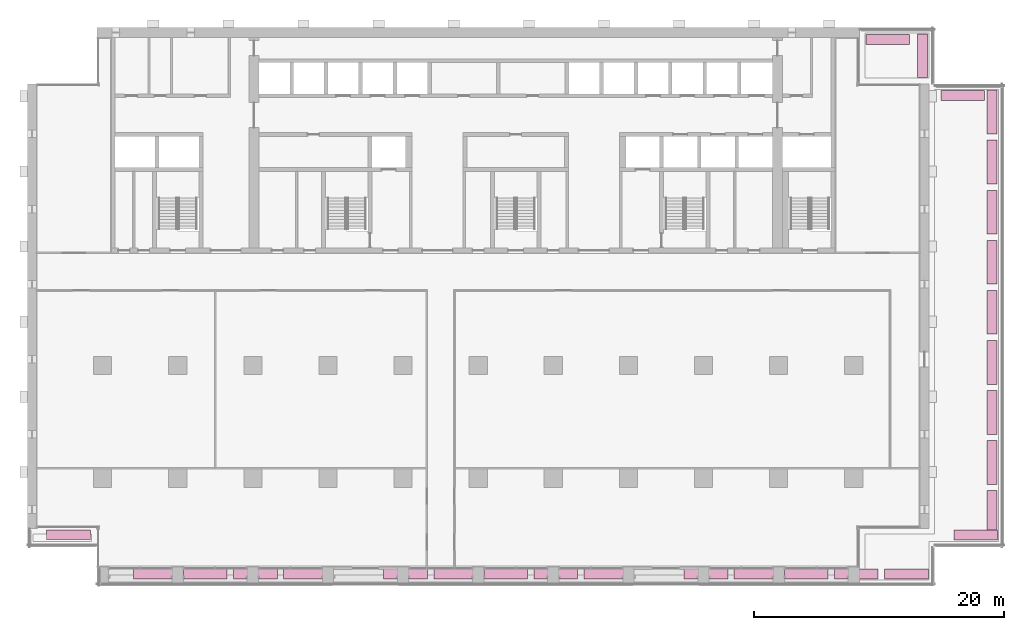
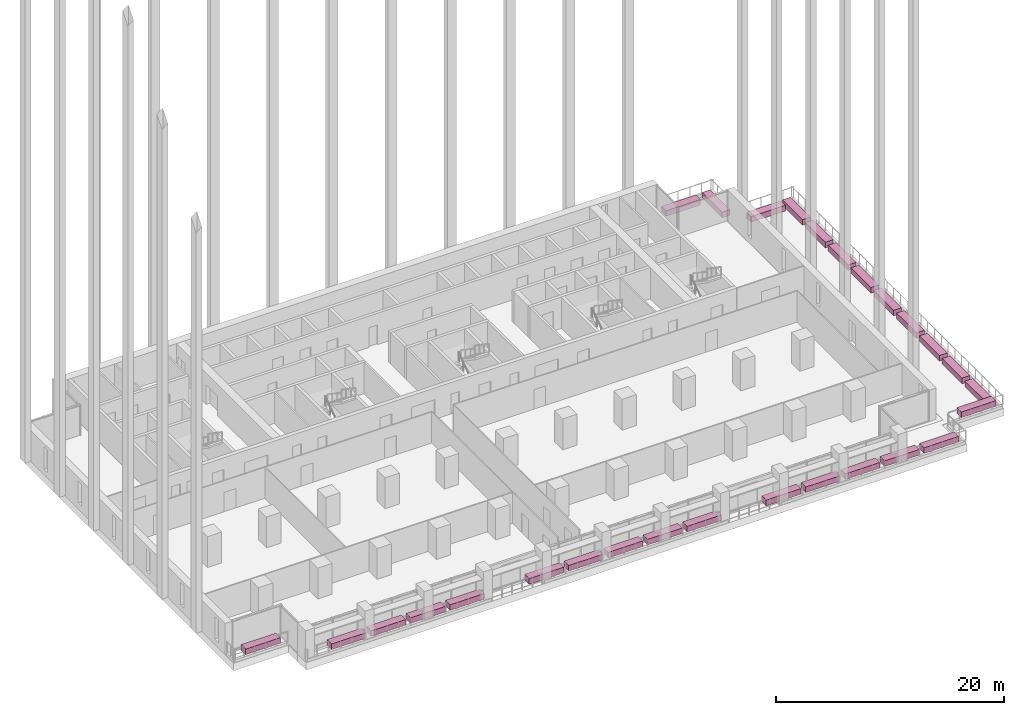
# One storey, part 18 of 18: 28 furniture elements.
"""IFC4 building model written with IfcOpenShell, lengths in metres."""

from ifc_helpers import new_model, si_unit, direction, frame, origin, origin_2d, place, context, subcontext, project, spatial, rectangle, extrude, element, save


model = new_model("IFC4")

# Units and contexts
model_context = context("Model", 3, precision=1e-05, world=origin(), true_north=direction((0.0, 1.0)))
body_context = subcontext(model_context, "Body", "Model", "MODEL_VIEW")
ifc_project = project(units=[si_unit("LENGTHUNIT", "METRE"), si_unit("AREAUNIT", "SQUARE_METRE"), si_unit("VOLUMEUNIT", "CUBIC_METRE"), si_unit("PLANEANGLEUNIT", "RADIAN"), si_unit("MASSUNIT", "GRAM", prefix="KILO")], contexts=[model_context])

# Site, building, storey
site_placement = place(None, origin())
site = spatial("IfcSite", under=ifc_project, at=site_placement, CompositionType="ELEMENT")
building_placement = place(site_placement, origin())
building = spatial("IfcBuilding", under=site, at=building_placement, Name="Calvaro Tower", CompositionType="ELEMENT")
storey_placement = place(building_placement, frame((0.0, 0.0, 95.0)))
storey = spatial("IfcBuildingStorey", under=building, at=storey_placement, Name="L23", CompositionType="ELEMENT", Elevation=95.0)

# Furniture
for number, where, z_axis, x_axis, name in (
    (1, (3.280029296875, 5.449951171875, 0.050048828125), (0.0, 0.0, 1.0), (1.0, 0.0, 0.0), "PLANTER L23-01"),
    (2, (68.719970703125, 45.050048828125, 0.050048828125), (0.0, 0.0, 1.0), (1.0, 0.0, 0.0), "PLANTER L23-02"),
):
    element("IfcFurniture", number, at=place(storey_placement, frame(where, z_axis=z_axis, x_axis=x_axis)), inside=storey, Name=name, ObjectType="PLANTER", PredefinedType="USERDEFINED", context=body_context, shape_type="SweptSolid", body=[
        extrude(rectangle(XDim=3.5, YDim=0.800048828125, at=origin_2d()), origin(), (0.0, 0.0, 1.0), 0.60009765625),
    ])
furniture_1_placement = place(storey_placement, frame((71.5, 43.75, 0.050048828125), z_axis=(0.0, 0.0, 1.0), x_axis=(1.0, 0.0, 0.0)))
element("IfcFurniture", 3, at=furniture_1_placement, inside=storey, Name="PLANTER L23-03", ObjectType="PLANTER", PredefinedType="USERDEFINED", context=body_context, shape_type="SweptSolid", body=[
    extrude(rectangle(XDim=0.800048828125, YDim=3.5, at=origin_2d()), origin(), (0.0, 0.0, 1.0), 0.60009765625),
])
furniture_2_placement = place(storey_placement, frame((74.699951171875, 40.550048828125, 0.050048828125), z_axis=(0.0, 0.0, 1.0), x_axis=(1.0, 0.0, 0.0)))
element("IfcFurniture", 4, at=furniture_2_placement, inside=storey, Name="PLANTER L23-04", ObjectType="PLANTER", PredefinedType="USERDEFINED", context=body_context, shape_type="SweptSolid", body=[
    extrude(rectangle(XDim=3.5, YDim=0.800048828125, at=origin_2d()), origin(), (0.0, 0.0, 1.0), 0.60009765625),
])
for number, where, z_axis, x_axis, name in (
    (5, (77.050048828125, 39.25, 0.050048828125), (0.0, 0.0, 1.0), (1.0, 0.0, 0.0), "PLANTER L23-05"),
    (6, (77.050048828125, 35.25, 0.050048828125), (0.0, 0.0, 1.0), (1.0, 0.0, 0.0), "PLANTER L23-06"),
    (7, (77.050048828125, 31.25, 0.050048828125), (0.0, 0.0, 1.0), (1.0, 0.0, 0.0), "PLANTER L23-07"),
    (8, (77.050048828125, 27.25, 0.050048828125), (0.0, 0.0, 1.0), (1.0, 0.0, 0.0), "PLANTER L23-08"),
    (9, (77.050048828125, 23.25, 0.050048828125), (0.0, 0.0, 1.0), (1.0, 0.0, 0.0), "PLANTER L23-09"),
    (10, (77.050048828125, 19.25, 0.050048828125), (0.0, 0.0, 1.0), (1.0, 0.0, 0.0), "PLANTER L23-10"),
    (11, (77.050048828125, 15.25, 0.050048828125), (0.0, 0.0, 1.0), (1.0, 0.0, 0.0), "PLANTER L23-11"),
    (12, (77.050048828125, 11.25, 0.050048828125), (0.0, 0.0, 1.0), (1.0, 0.0, 0.0), "PLANTER L23-12"),
    (13, (77.050048828125, 7.25, 0.050048828125), (0.0, 0.0, 1.0), (1.0, 0.0, 0.0), "PLANTER L23-13"),
):
    element("IfcFurniture", number, at=place(storey_placement, frame(where, z_axis=z_axis, x_axis=x_axis)), inside=storey, Name=name, ObjectType="PLANTER", PredefinedType="USERDEFINED", context=body_context, shape_type="SweptSolid", body=[
        extrude(rectangle(XDim=0.800048828125, YDim=3.5, at=origin_2d()), origin(), (0.0, 0.0, 1.0), 0.60009765625),
    ])
for number, where, z_axis, x_axis, name in (
    (14, (75.75, 5.449951171875, 0.050048828125), (0.0, 0.0, 1.0), (1.0, 0.0, 0.0), "PLANTER L23-14"),
    (15, (70.199951171875, 2.35009765625, 0.050048828125), (0.0, 0.0, 1.0), (1.0, 0.0, 0.0), "PLANTER L23-15"),
    (16, (66.199951171875, 2.35009765625, 0.050048828125), (0.0, 0.0, 1.0), (1.0, 0.0, 0.0), "PLANTER L23-16"),
    (17, (62.199951171875, 2.35009765625, 0.050048828125), (0.0, 0.0, 1.0), (1.0, 0.0, 0.0), "PLANTER L23-17"),
    (18, (58.199951171875, 2.35009765625, 0.050048828125), (0.0, 0.0, 1.0), (1.0, 0.0, 0.0), "PLANTER L23-18"),
    (19, (54.199951171875, 2.35009765625, 0.050048828125), (0.0, 0.0, 1.0), (1.0, 0.0, 0.0), "PLANTER L23-19"),
    (20, (46.199951171875, 2.35009765625, 0.050048828125), (0.0, 0.0, 1.0), (1.0, 0.0, 0.0), "PLANTER L23-20"),
    (21, (42.199951171875, 2.35009765625, 0.050048828125), (0.0, 0.0, 1.0), (1.0, 0.0, 0.0), "PLANTER L23-21"),
    (22, (38.199951171875, 2.35009765625, 0.050048828125), (0.0, 0.0, 1.0), (1.0, 0.0, 0.0), "PLANTER L23-22"),
    (23, (34.199951171875, 2.35009765625, 0.050048828125), (0.0, 0.0, 1.0), (1.0, 0.0, 0.0), "PLANTER L23-23"),
    (24, (30.199951171875, 2.35009765625, 0.050048828125), (0.0, 0.0, 1.0), (1.0, 0.0, 0.0), "PLANTER L23-24"),
    (25, (22.199951171875, 2.35009765625, 0.050048828125), (0.0, 0.0, 1.0), (1.0, 0.0, 0.0), "PLANTER L23-25"),
    (26, (18.199951171875, 2.35009765625, 0.050048828125), (0.0, 0.0, 1.0), (1.0, 0.0, 0.0), "PLANTER L23-26"),
    (27, (14.199951171875, 2.35009765625, 0.050048828125), (0.0, 0.0, 1.0), (1.0, 0.0, 0.0), "PLANTER L23-27"),
    (28, (10.199951171875, 2.35009765625, 0.050048828125), (0.0, 0.0, 1.0), (1.0, 0.0, 0.0), "PLANTER L23-28"),
):
    element("IfcFurniture", number, at=place(storey_placement, frame(where, z_axis=z_axis, x_axis=x_axis)), inside=storey, Name=name, ObjectType="PLANTER", PredefinedType="USERDEFINED", context=body_context, shape_type="SweptSolid", body=[
        extrude(rectangle(XDim=3.5, YDim=0.800048828125, at=origin_2d()), origin(), (0.0, 0.0, 1.0), 0.60009765625),
    ])

save(model, "model.ifc")
